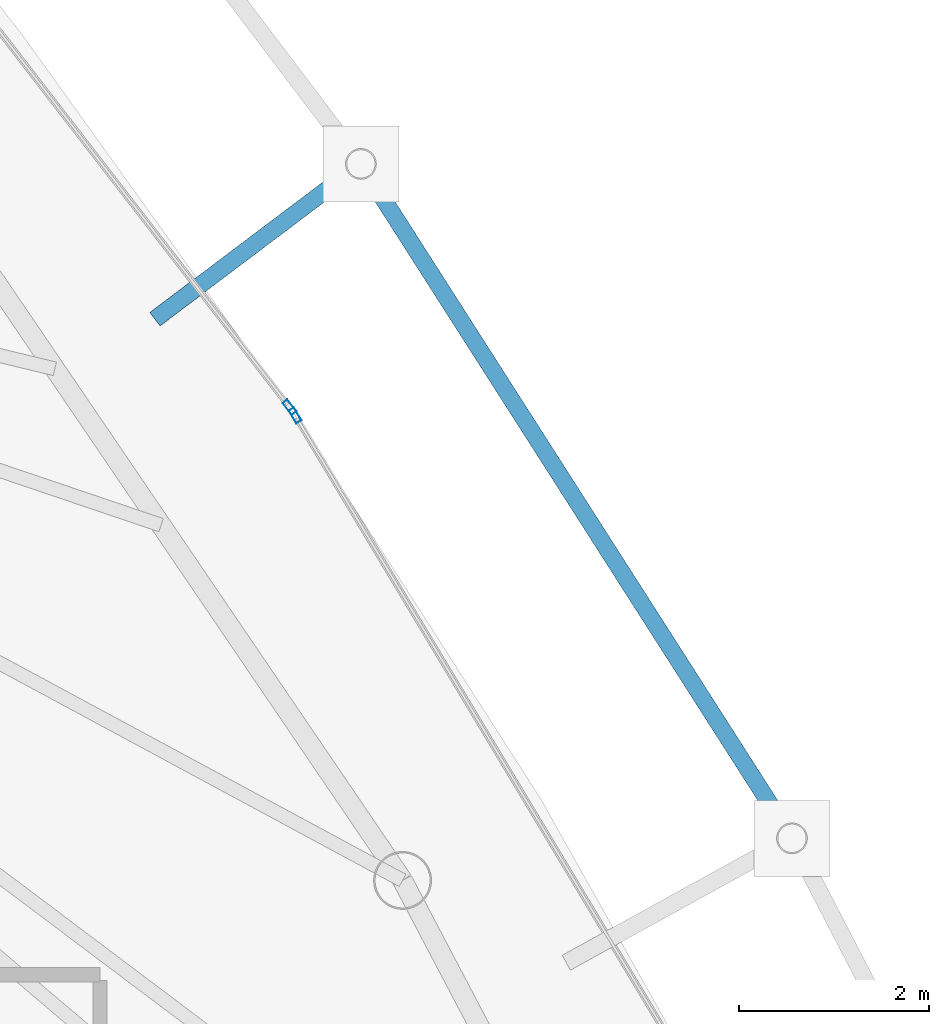
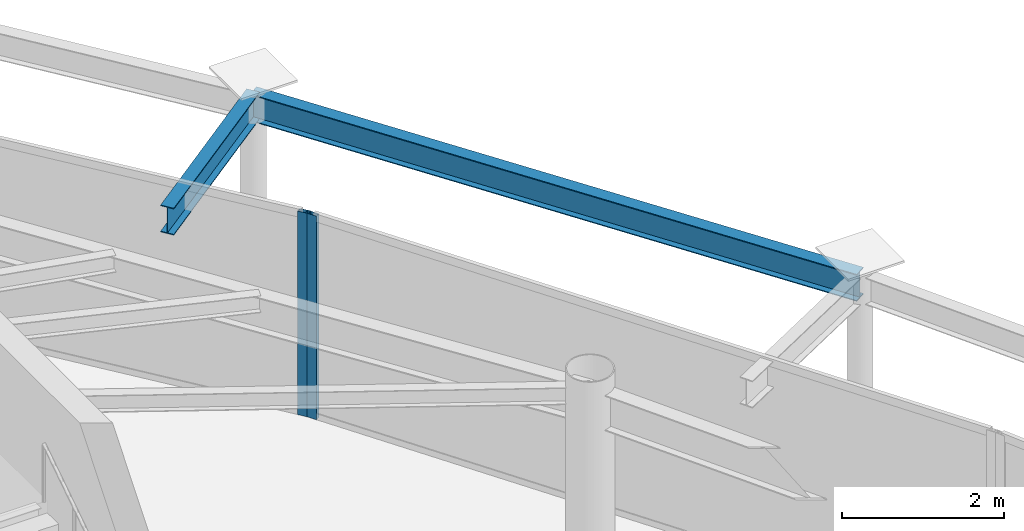
# One storey, part 19 of 29: 2 beams, 2 members, 2 elements without a shape of their own.
"""IFC4 building model written with IfcOpenShell, lengths in metres."""

import ifcopenshell
import ifcopenshell.guid

model = None  # the IFC model being written
_history = None  # IfcOwnerHistory: only IFC2X3 demands one
_inside = {}  # id of a spatial element -> (the spatial element, [elements in it])
_under = {}  # id of a project, library or spatial element -> (it, [spatial elements below it])
_declared = {}  # id of a project -> (the project, [libraries it declares])
_typed = {}  # id of a type object -> (the type object, [elements of that type])
_made_of = {}  # id of a material, layer set ... -> (it, [elements and type objects made of it])


def new_model(schema):
    """Start an empty IFC model of exactly this schema.

    Asked for "IFC4X3", IfcOpenShell would pick the latest addendum, in which some entities
    have other attributes; the version numbers below select the first issue.
    IFC2X3 requires an IfcOwnerHistory on every rooted entity: one is made here for all.
    """
    global model, _history
    if schema == "IFC4X3":
        model = ifcopenshell.file(schema_version=(4, 3, 0, 0))
    else:
        model = ifcopenshell.file(schema=schema)
    _inside.clear()
    _under.clear()
    _declared.clear()
    _typed.clear()
    _made_of.clear()
    _history = None
    if model.schema == "IFC2X3":
        org = make("IfcOrganization", Name="unknown")
        user = make(
            "IfcPersonAndOrganization",
            ThePerson=make("IfcPerson", FamilyName="unknown"),
            TheOrganization=org,
        )
        app = make(
            "IfcApplication",
            ApplicationDeveloper=org,
            Version="unknown",
            ApplicationFullName="unknown",
            ApplicationIdentifier="unknown",
        )
        _history = make(
            "IfcOwnerHistory",
            OwningUser=user,
            OwningApplication=app,
            ChangeAction="ADDED",
            CreationDate=0,
        )
    return model


def make(cls, **values):
    """One entity of the class cls with the attributes given. An attribute that is None is left unset."""
    return model.create_entity(
        cls, **{name: value for name, value in values.items() if value is not None}
    )


def rooted(cls, **values):
    """An entity with a GlobalId (a new one), such as an element, a storey or a relation."""
    return make(cls, GlobalId=ifcopenshell.guid.new(), OwnerHistory=_history, **values)


def si_unit(unit_type, name, prefix=None):
    """IfcSIUnit, for example si_unit("LENGTHUNIT", "METRE", prefix="MILLI")."""
    return make("IfcSIUnit", UnitType=unit_type, Prefix=prefix, Name=name)


def assignment(units):
    """IfcUnitAssignment: the units of a project."""
    return None if units is None else make("IfcUnitAssignment", Units=units)


def point(xyz):
    """IfcCartesianPoint."""
    return None if xyz is None else make("IfcCartesianPoint", Coordinates=xyz)


def direction(xyz):
    """IfcDirection."""
    return None if xyz is None else make("IfcDirection", DirectionRatios=xyz)


def frame(location, z_axis=None, x_axis=None):
    """IfcAxis2Placement3D, a coordinate frame: its origin and axes. An axis left out is left unset."""
    return make(
        "IfcAxis2Placement3D",
        Location=point(location),
        Axis=direction(z_axis),
        RefDirection=direction(x_axis),
    )


def frame_2d(location, x_axis=None):
    """IfcAxis2Placement2D, a coordinate frame in the plane: its origin and x axis."""
    return make(
        "IfcAxis2Placement2D", Location=point(location), RefDirection=direction(x_axis)
    )


def origin():
    """The frame at (0, 0, 0) with its axes left unset."""
    return frame((0.0, 0.0, 0.0))


def origin_2d():
    """The frame at (0, 0) in the plane with its x axis left unset."""
    return frame_2d((0.0, 0.0))


def place(relative_to, where):
    """IfcLocalPlacement: puts the frame where relative to a parent placement (None: the world)."""
    return make(
        "IfcLocalPlacement", PlacementRelTo=relative_to, RelativePlacement=where
    )


def context(
    kind, dimensions, precision=None, world=None, true_north=None, identifier=None
):
    """IfcGeometricRepresentationContext, for example the 3D "Model" context."""
    return make(
        "IfcGeometricRepresentationContext",
        ContextIdentifier=identifier,
        ContextType=kind,
        CoordinateSpaceDimension=dimensions,
        Precision=precision,
        WorldCoordinateSystem=world,
        TrueNorth=true_north,
    )


def subcontext(parent, identifier, kind, view, scale=None):
    """IfcGeometricRepresentationSubContext, for example "Body" below "Model"."""
    return make(
        "IfcGeometricRepresentationSubContext",
        ContextIdentifier=identifier,
        ContextType=kind,
        ParentContext=parent,
        TargetScale=scale,
        TargetView=view,
    )


def project(units=None, contexts=None):
    """IfcProject with its units and contexts."""
    return rooted(
        "IfcProject",
        Name="project",
        RepresentationContexts=contexts,
        UnitsInContext=assignment(units),
    )


def spatial(cls, under=None, at=None, **own):
    """A site, building, storey or space (cls), placed at a placement, below another one or the project."""
    s = rooted(cls, ObjectPlacement=at, **own)
    if under is not None:
        _under.setdefault(under.id(), (under, []))[1].append(s)
    return s


def profile(cls, at=None, kind="AREA", **sizes):
    """A parametric profile (cls). Its sizes go by their IFC names, for example OverallWidth=200.0."""
    return make(cls, ProfileType=kind, Position=at, **sizes)


def hollow_rectangle(**sizes):
    """IfcRectangleHollowProfileDef."""
    return profile("IfcRectangleHollowProfileDef", **sizes)


def i_section(**sizes):
    """IfcIShapeProfileDef."""
    return profile("IfcIShapeProfileDef", **sizes)


def extrude(swept, where, along, depth):
    """IfcExtrudedAreaSolid: the profile swept, set in the frame where, extruded along a direction by depth."""
    return make(
        "IfcExtrudedAreaSolid",
        SweptArea=swept,
        Position=where,
        ExtrudedDirection=direction(along),
        Depth=depth,
    )


def shape(context_of_items, identifier, shape_type, items):
    """IfcShapeRepresentation: the items that make up one representation, for example the "Body"."""
    return make(
        "IfcShapeRepresentation",
        ContextOfItems=context_of_items,
        RepresentationIdentifier=identifier,
        RepresentationType=shape_type,
        Items=items,
    )


def material(Name=None, Category=None):
    """IfcMaterial."""
    return make("IfcMaterial", Name=Name, Category=Category)


def layer(
    of_material, thickness, ventilated=None, Name=None, Category=None, Priority=None
):
    """IfcMaterialLayer: one layer of a wall or slab, of a material (None: an air gap)."""
    return make(
        "IfcMaterialLayer",
        Material=of_material,
        LayerThickness=thickness,
        IsVentilated=ventilated,
        Name=Name,
        Category=Category,
        Priority=Priority,
    )


def layer_set(layers, Name=None):
    """IfcMaterialLayerSet."""
    return make("IfcMaterialLayerSet", MaterialLayers=layers, LayerSetName=Name)


def material_profile(
    of_material, cross_section, Name=None, Category=None, Priority=None
):
    """IfcMaterialProfile: a cross section and its material."""
    return make(
        "IfcMaterialProfile",
        Name=Name,
        Material=of_material,
        Profile=cross_section,
        Priority=Priority,
        Category=Category,
    )


def profile_set(profiles, Name=None, composite=None):
    """IfcMaterialProfileSet."""
    return make(
        "IfcMaterialProfileSet",
        Name=Name,
        MaterialProfiles=profiles,
        CompositeProfile=composite,
    )


def made_of(thing, what):
    """Note that an element or type object is made of a material, layer set ...; save() writes the relation."""
    if what is not None:
        _made_of.setdefault(what.id(), (what, []))[1].append(thing)
    return thing


def type_object(cls, material=None, **own):
    """A type object (cls), such as IfcWallType, which elements share."""
    return made_of(rooted(cls, **own), material)


def element(
    cls,
    number,
    at=None,
    inside=None,
    cuts=None,
    type_object=None,
    material=None,
    context=None,
    identifier="Body",
    shape_type=None,
    held_by="IfcProductDefinitionShape",
    body=None,
    shapes=None,
    **own,
):
    """One element of the class cls, such as IfcWall. Its Tag is "e" and its number.

    at: its placement. inside: the storey or other place that contains it. cuts: it is an
    opening in that element (IfcRelVoidsElement). A single representation is given by context,
    identifier, shape_type and body (its items); several are given by shapes. held_by: the class
    of the entity that holds the representations. save() writes the other relations.
    """
    e = rooted(cls, Tag="e%d" % number, ObjectPlacement=at, **own)
    if body is not None:
        shapes = [shape(context, identifier, shape_type, body)]
    if shapes is not None:
        e.Representation = make(held_by, Representations=shapes)
    if inside is not None:
        _inside.setdefault(inside.id(), (inside, []))[1].append(e)
    if cuts is not None:
        rooted(
            "IfcRelVoidsElement", RelatingBuildingElement=cuts, RelatedOpeningElement=e
        )
    if type_object is not None:
        _typed.setdefault(type_object.id(), (type_object, []))[1].append(e)
    return made_of(e, material)


def aggregate(whole, parts):
    """IfcRelAggregates: a whole, such as a stair, and the parts it consists of."""
    return rooted("IfcRelAggregates", RelatingObject=whole, RelatedObjects=parts)


def save(model, path):
    """Write the relations noted so far, then the file.

    IfcRelAggregates (storeys below a building ...), IfcRelContainedInSpatialStructure (elements
    in a storey), IfcRelDefinesByType, IfcRelAssociatesMaterial and IfcRelDeclares: one each for
    every whole, place, type object, material and project.
    """
    for whole, parts in _under.values():
        aggregate(whole, parts)
    for where, things in _inside.values():
        rooted(
            "IfcRelContainedInSpatialStructure",
            RelatedElements=things,
            RelatingStructure=where,
        )
    for kind, things in _typed.values():
        rooted("IfcRelDefinesByType", RelatedObjects=things, RelatingType=kind)
    for what, things in _made_of.values():
        rooted("IfcRelAssociatesMaterial", RelatedObjects=things, RelatingMaterial=what)
    for by, libraries in _declared.values():
        rooted("IfcRelDeclares", RelatingContext=by, RelatedDefinitions=libraries)
    model.write(path)


model = new_model("IFC4")

# Units and contexts
model_context = context("Model", 3, precision=1e-05, world=origin(), true_north=direction((0.0, 1.0)))
body_context = subcontext(model_context, "Body", "Model", "MODEL_VIEW")
ifc_project = project(units=[si_unit("LENGTHUNIT", "METRE"), si_unit("AREAUNIT", "SQUARE_METRE"), si_unit("VOLUMEUNIT", "CUBIC_METRE"), si_unit("PLANEANGLEUNIT", "RADIAN"), si_unit("MASSUNIT", "GRAM", prefix="KILO")], contexts=[model_context])

# Site, building, storey
site_placement = place(None, origin())
site = spatial("IfcSite", under=ifc_project, at=site_placement, CompositionType="ELEMENT")
building_placement = place(site_placement, origin())
building = spatial("IfcBuilding", under=site, at=building_placement, Name="Orvanel Arch Residences", CompositionType="ELEMENT")
storey_placement = place(building_placement, frame((0.0, 0.0, 246.949951171875)))
storey = spatial("IfcBuildingStorey", under=building, at=storey_placement, Name="L70", CompositionType="ELEMENT", Elevation=246.949951171875)

# Curtain wall, member
ifc_material_1 = material(Name="Bronze-anodised aluminium AA6063-T6", Category="aluminium")
ifc_layer = layer(ifc_material_1, 0.175048828125)
ifc_layer_set = layer_set([ifc_layer], Name="Bronze-anodised aluminium AA6063-T6")
curtain_wall_type = type_object("IfcCurtainWallType", Name="CW4-HI-SYS", PredefinedType="NOTDEFINED", material=ifc_layer_set)
curtain_wall_1_placement = place(storey_placement, origin())
curtain_wall_1 = element("IfcCurtainWall", 1, at=curtain_wall_1_placement, inside=storey, type_object=curtain_wall_type, Name="L70 CW4-HI-SYS Unitised Curtain Wall", PredefinedType="NOTDEFINED")
ifc_material_profile_1 = material_profile(ifc_material_1, hollow_rectangle(XDim=0.06494140625, YDim=0.159912109375, WallThickness=0.00390625, at=origin_2d()), Name="ALU160x65x4")
ifc_profile_set_1 = profile_set([ifc_material_profile_1], Name="Bronze-anodised aluminium AA6063-T6")
member_type = type_object("IfcMemberType", Name="MUL-160x65", PredefinedType="MULLION", material=ifc_profile_set_1)
member_1_placement = place(storey_placement, frame((44.3017578125, 32.53125, 0.0), z_axis=(0.0, 0.0, 1.0), x_axis=(-0.857511192375, -0.514465309766, 0.0)))
member_1 = element("IfcMember", 2, at=member_1_placement, type_object=member_type, Name="CW-S4 mullion 2", PredefinedType="MULLION", context=body_context, shape_type="SweptSolid", body=[
    extrude(hollow_rectangle(XDim=0.06494140625, YDim=0.159912109375, WallThickness=0.00390625, at=origin_2d()), origin(), (0.0, 0.0, 1.0), 3.06005859375),
])
aggregate(curtain_wall_1, [member_1])

curtain_wall_2_placement = place(storey_placement, origin())
curtain_wall_2 = element("IfcCurtainWall", 3, at=curtain_wall_2_placement, inside=storey, type_object=curtain_wall_type, Name="L70 CW4-HI-SYS Unitised Curtain Wall", PredefinedType="NOTDEFINED")
member_2_placement = place(storey_placement, frame((44.2431640625, 32.61767578125, 0.0), z_axis=(0.0, 0.0, 1.0), x_axis=(-0.791477630276, -0.611198135446, 0.0)))
member_2 = element("IfcMember", 4, at=member_2_placement, type_object=member_type, Name="CW-S4 mullion 1", PredefinedType="MULLION", context=body_context, shape_type="SweptSolid", body=[
    extrude(hollow_rectangle(XDim=0.06494140625, YDim=0.159912109375, WallThickness=0.00390625, at=origin_2d()), origin(), (0.0, 0.0, 1.0), 3.06005859375),
])
aggregate(curtain_wall_2, [member_2])

# Beams
ifc_material_2 = material(Name="Structural steel AS/NZS 3679.1 Grade 300 (300 MPa)", Category="steel")
ifc_material_profile_2 = material_profile(ifc_material_2, i_section(OverallWidth=0.177978515625, OverallDepth=0.406005859375, WebThickness=0.0078125, FlangeThickness=0.0126953125, at=origin_2d()), Name="410UB59.7")
ifc_profile_set_2 = profile_set([ifc_material_profile_2], Name="Structural steel AS/NZS 3679.1 Grade 300 (300 MPa)")
beam_type = type_object("IfcBeamType", Name="OB-410UB-EXT", PredefinedType="SPANDREL", material=ifc_profile_set_2)
beam_1_placement = place(storey_placement, frame((49.52587890625, 28.083984375, 2.85693359375), z_axis=(-0.538552335744, 0.84259206124, 0.0), x_axis=(-0.84259206124, -0.538552335744, 0.0)))
element("IfcBeam", 5, at=beam_1_placement, inside=storey, type_object=beam_type, Name="L70 Outer Perimeter Floor Ring Beam 10", PredefinedType="SPANDREL", context=body_context, shape_type="SweptSolid", body=[
    extrude(i_section(OverallWidth=0.177978515625, OverallDepth=0.406005859375, WebThickness=0.0078125, FlangeThickness=0.0126953125, at=origin_2d()), origin(), (0.0, 0.0, 1.0), 8.4169921875),
])
beam_2_placement = place(storey_placement, frame((42.826904296875, 33.54296875, 2.85693359375), z_axis=(0.798485449482, 0.60201410861, 0.0), x_axis=(-0.60201410861, 0.798485449482, 0.0)))
element("IfcBeam", 6, at=beam_2_placement, inside=storey, type_object=beam_type, Name="L70 Outer Frame Radial Tie Beam 11", PredefinedType="SPANDREL", context=body_context, shape_type="SweptSolid", body=[
    extrude(i_section(OverallWidth=0.177978515625, OverallDepth=0.406005859375, WebThickness=0.0078125, FlangeThickness=0.0126953125, at=origin_2d()), origin(), (0.0, 0.0, 1.0), 2.712646484375),
])

save(model, "model.ifc")
